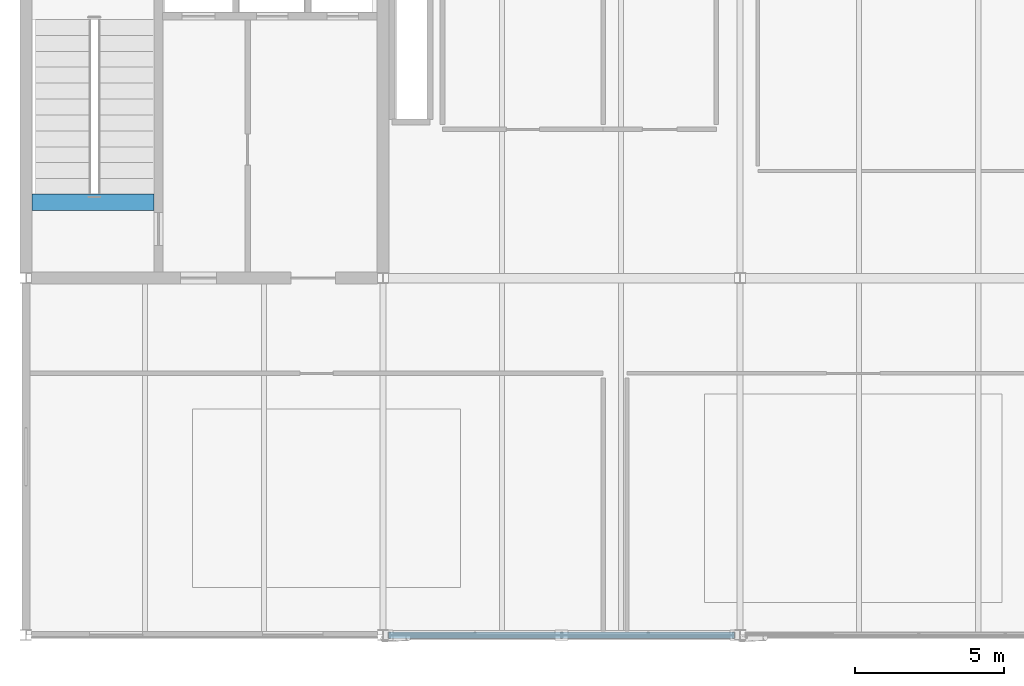
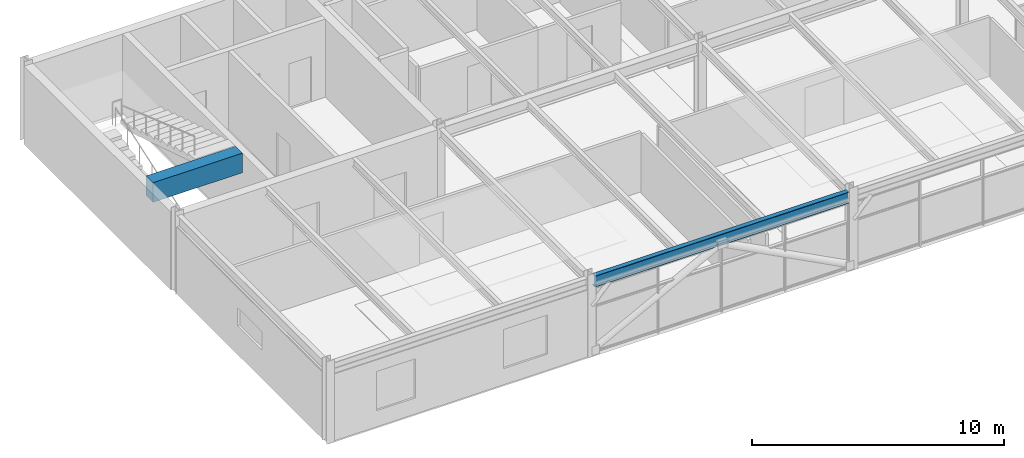
# One storey, part 5 of 23: 2 beams.
"""IFC4 building model written with IfcOpenShell, lengths in metres."""

from ifc_helpers import new_model, si_unit, direction, frame, origin, origin_2d, place, context, subcontext, project, spatial, rectangle, i_section, extrude, material, material_profile, profile_set, type_object, element, save


model = new_model("IFC4")

# Units and contexts
model_context = context("Model", 3, precision=1e-05, world=origin(), true_north=direction((0.0, 1.0)))
body_context = subcontext(model_context, "Body", "Model", "MODEL_VIEW")
ifc_project = project(units=[si_unit("LENGTHUNIT", "METRE"), si_unit("AREAUNIT", "SQUARE_METRE"), si_unit("VOLUMEUNIT", "CUBIC_METRE"), si_unit("PLANEANGLEUNIT", "RADIAN"), si_unit("MASSUNIT", "GRAM", prefix="KILO")], contexts=[model_context])

# Site, building, storey
site_placement = place(None, origin())
site = spatial("IfcSite", under=ifc_project, at=site_placement, CompositionType="ELEMENT")
building_placement = place(site_placement, origin())
building = spatial("IfcBuilding", under=site, at=building_placement, Name="Girod Span Mobility Hub", CompositionType="ELEMENT")
storey_placement = place(building_placement, frame((0.0, 0.0, 65.60009765625)))
storey = spatial("IfcBuildingStorey", under=building, at=storey_placement, Name="L16", CompositionType="ELEMENT", Elevation=65.60009765625)

# Beams
ifc_material_1 = material(Name="Concrete C40/50", Category="concrete")
ifc_material_profile_1 = material_profile(ifc_material_1, rectangle(XDim=0.550048828125, YDim=0.949951171875, at=origin_2d()), Name="RK-550X950")
ifc_profile_set_1 = profile_set([ifc_material_profile_1], Name="Concrete C40/50")
beam_type_1 = type_object("IfcBeamType", Name="BM-RK-550X950", PredefinedType="BEAM", material=ifc_profile_set_1)
beam_1_placement = place(storey_placement, frame((48.197021484375, 59.550048828125, 3.31494140625), z_axis=(1.0, 0.0, 0.0), x_axis=(0.0, 1.0, 0.0)))
element("IfcBeam", 1, at=beam_1_placement, inside=storey, type_object=beam_type_1, Name="Stair ST-1 Landing Header Beam L16", PredefinedType="BEAM", context=body_context, shape_type="SweptSolid", body=[
    extrude(rectangle(XDim=0.550048828125, YDim=0.949951171875, at=origin_2d()), origin(), (0.0, 0.0, 1.0), 4.10595703125),
])
ifc_material_2 = material(Name="Steel A992 Grade 50", Category="steel")
ifc_material_profile_2 = material_profile(ifc_material_2, i_section(OverallWidth=0.2119140625, OverallDepth=0.5439453125, WebThickness=0.01318359375, FlangeThickness=0.021240234375, FilletRadius=0.014892578125, at=origin_2d()), Name="W21X83")
ifc_profile_set_2 = profile_set([ifc_material_profile_2], Name="Steel A992 Grade 50")
beam_type_2 = type_object("IfcBeamType", Name="BM-STL-W21X83", PredefinedType="SPANDREL", material=ifc_profile_set_2)
beam_2_placement = place(storey_placement, frame((60.181396484375, 45.0, 3.517822265625), z_axis=(1.0, 0.0, 0.0), x_axis=(0.0, 1.0, 0.0)))
element("IfcBeam", 2, at=beam_2_placement, inside=storey, type_object=beam_type_2, Name="Girder 6-7/D L16", PredefinedType="SPANDREL", context=body_context, shape_type="SweptSolid", body=[
    extrude(i_section(OverallWidth=0.2119140625, OverallDepth=0.5439453125, WebThickness=0.01318359375, FlangeThickness=0.021240234375, FilletRadius=0.014892578125, at=origin_2d()), origin(), (0.0, 0.0, 1.0), 11.63720703125),
])

save(model, "model.ifc")
